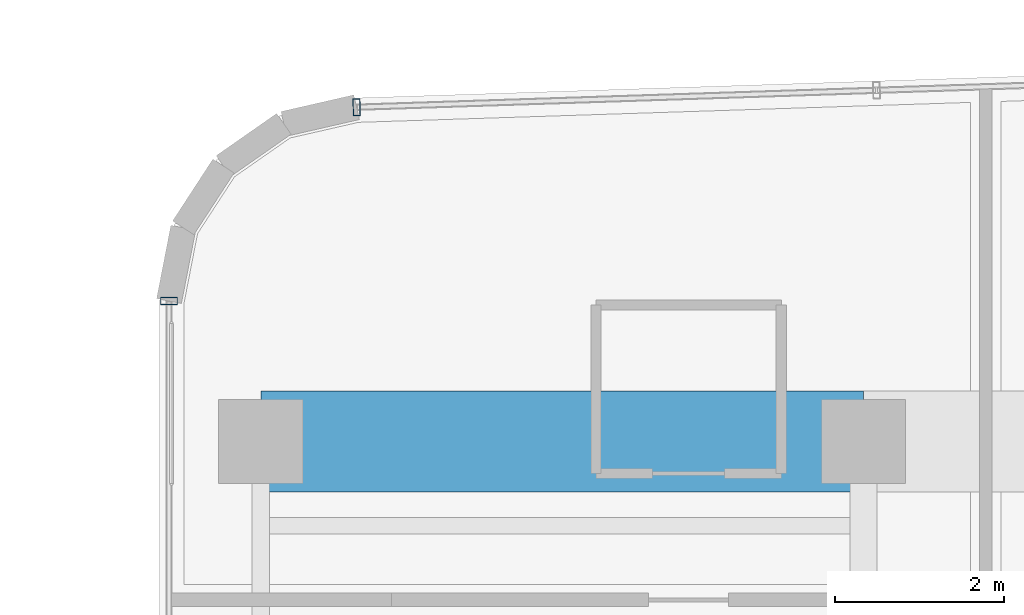
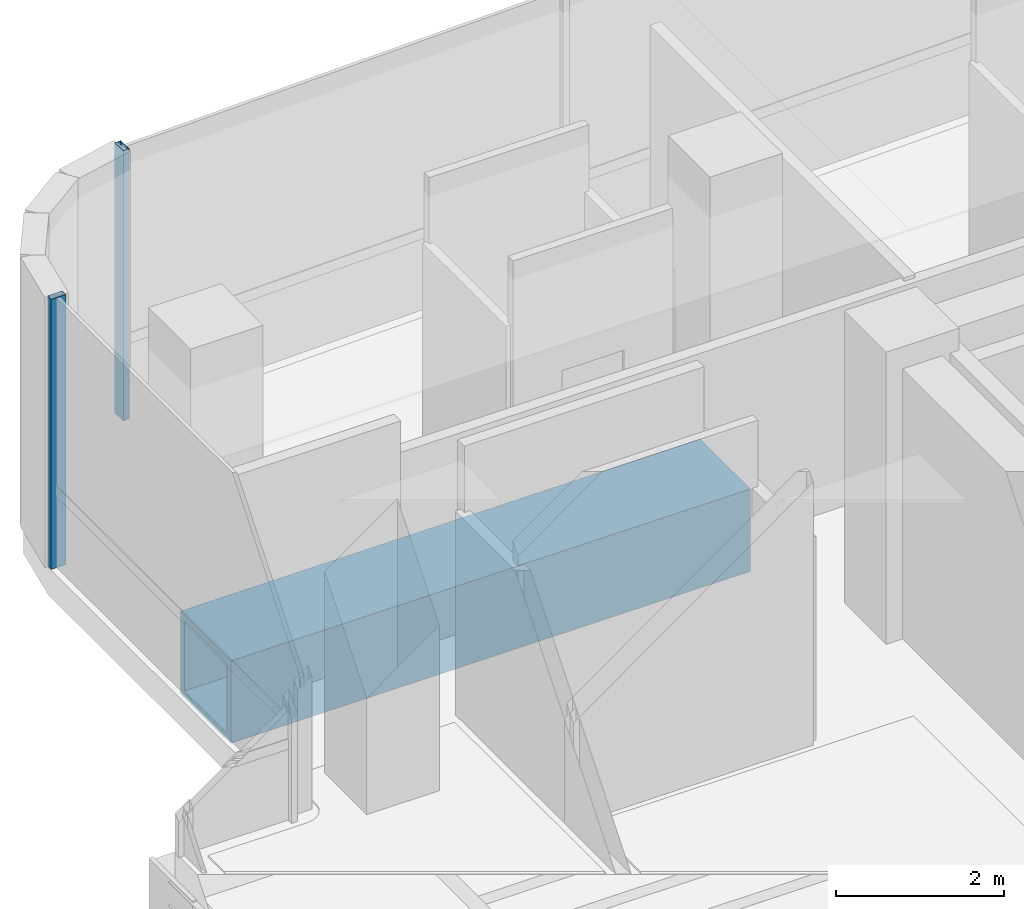
# One storey, part 17 of 37: 2 members, 1 beam, 2 elements without a shape of their own.
"""IFC4 building model written with IfcOpenShell, lengths in metres."""

from ifc_helpers import new_model, si_unit, direction, frame, origin, origin_2d, place, context, subcontext, project, spatial, hollow_rectangle, extrude, source, transform, mapped, material, material_profile, profile_set, type_object, element, aggregate, save


model = new_model("IFC4")

# Units and contexts
model_context = context("Model", 3, precision=1e-05, world=origin(), true_north=direction((0.0, 1.0)))
body_context = subcontext(model_context, "Body", "Model", "MODEL_VIEW")
ifc_project = project(units=[si_unit("LENGTHUNIT", "METRE"), si_unit("AREAUNIT", "SQUARE_METRE"), si_unit("VOLUMEUNIT", "CUBIC_METRE"), si_unit("PLANEANGLEUNIT", "RADIAN"), si_unit("MASSUNIT", "GRAM", prefix="KILO")], contexts=[model_context])

# Site, building, storey
site_placement = place(None, origin())
site = spatial("IfcSite", under=ifc_project, at=site_placement, CompositionType="ELEMENT")
building_placement = place(site_placement, origin())
building = spatial("IfcBuilding", under=site, at=building_placement, Name="Valdorenza Pilgrim Sanctuary Tower", CompositionType="ELEMENT")
storey_placement = place(building_placement, frame((0.0, 0.0, 172.300048828125)))
storey = spatial("IfcBuildingStorey", under=building, at=storey_placement, Name="L44", CompositionType="ELEMENT", Elevation=172.300048828125)

# Beam
ifc_material_1 = material(Name="Steel ASTM A572 Grade 42", Category="steel")
ifc_material_profile_1 = material_profile(ifc_material_1, hollow_rectangle(XDim=1.199951171875, YDim=1.199951171875, WallThickness=0.090087890625, at=origin_2d()), Name="BOX 1200x1200x90")
ifc_profile_set_1 = profile_set([ifc_material_profile_1], Name="Steel ASTM A572 Grade 42")
beam_type = type_object("IfcBeamType", Name="STR-BM-TRF-1200", PredefinedType="BEAM", material=ifc_profile_set_1)
shared_shape_1 = source(origin(), body_context, "Body", "SweptSolid", [
    extrude(hollow_rectangle(XDim=1.199951171875, YDim=1.199951171875, WallThickness=0.090087890625, at=origin_2d()), origin(), (0.0, 0.0, 1.0), 7.150146484375),
])
beam_placement = place(storey_placement, frame((-29.800048828125, 14.800048828125, -1.0), z_axis=(1.0, 0.0, 0.0), x_axis=(0.0, 1.0, 0.0)))
element("IfcBeam", 1, at=beam_placement, inside=storey, type_object=beam_type, Name="L44 Transfer Girder WA-XW-N2", PredefinedType="BEAM", context=body_context, shape_type="MappedRepresentation", body=[
    mapped(shared_shape_1, transform((0.0, 0.0, 0.0), x_axis=(1.0, 0.0, 0.0), y_axis=(0.0, 1.0, 0.0), z_axis=(0.0, 0.0, 1.0), scale=1.0)),
])

# Curtain wall, member
ifc_material_2 = material(Name="Curtain-wall IGU glazing", Category="glass")
curtain_wall_type = type_object("IfcCurtainWallType", Name="CW-SYS-02", PredefinedType="NOTDEFINED", material=ifc_material_2)
curtain_wall_1_placement = place(storey_placement, origin())
curtain_wall_1 = element("IfcCurtainWall", 2, at=curtain_wall_1_placement, inside=storey, type_object=curtain_wall_type, Name="L44 Curtain Wall CW-L44-1-1S2", PredefinedType="NOTDEFINED")
ifc_material_3 = material(Name="Anodised aluminium AW-6060", Category="aluminium")
ifc_material_profile_2 = material_profile(ifc_material_3, hollow_rectangle(XDim=0.0849609375, YDim=0.199951171875, WallThickness=0.0048828125, at=origin_2d()), Name="ALU-M 200x85x5")
ifc_profile_set_2 = profile_set([ifc_material_profile_2], Name="Anodised aluminium AW-6060")
member_type = type_object("IfcMemberType", Name="CW-MUL-02", PredefinedType="MULLION", material=ifc_profile_set_2)
shared_shape_2 = source(origin(), body_context, "Body", "SweptSolid", [
    extrude(hollow_rectangle(XDim=0.0849609375, YDim=0.199951171875, WallThickness=0.0048828125, at=origin_2d()), origin(), (0.0, 0.0, 1.0), 3.929931640625),
])
member_1_placement = place(storey_placement, frame((-30.889892578125, 16.46630859375, 0.0), z_axis=(0.0, 0.0, 1.0), x_axis=(0.0, 1.0, 0.0)))
member_1 = element("IfcMember", 3, at=member_1_placement, type_object=member_type, Name="CW-L44-1-1S2 Mullion 2", PredefinedType="MULLION", context=body_context, shape_type="MappedRepresentation", body=[
    mapped(shared_shape_2, transform((0.0, 0.0, 0.0), x_axis=(1.0, 0.0, 0.0), y_axis=(0.0, 1.0, 0.0), z_axis=(0.0, 0.0, 1.0), scale=1.0)),
])
aggregate(curtain_wall_1, [member_1])

curtain_wall_2_placement = place(storey_placement, origin())
curtain_wall_2 = element("IfcCurtainWall", 4, at=curtain_wall_2_placement, inside=storey, type_object=curtain_wall_type, Name="L44 Curtain Wall CW-L44-1-6", PredefinedType="NOTDEFINED")
member_2_placement = place(storey_placement, frame((-28.663818359375, 18.76611328125, 0.0), z_axis=(0.0, 0.0, 1.0), x_axis=(0.999470282811, 0.032544642846, 0.0)))
member_2 = element("IfcMember", 5, at=member_2_placement, type_object=member_type, Name="CW-L44-1-6 Mullion 1", PredefinedType="MULLION", context=body_context, shape_type="MappedRepresentation", body=[
    mapped(shared_shape_2, transform((0.0, 0.0, 0.0), x_axis=(1.0, 0.0, 0.0), y_axis=(0.0, 1.0, 0.0), z_axis=(0.0, 0.0, 1.0), scale=1.0)),
])
aggregate(curtain_wall_2, [member_2])

save(model, "model.ifc")
